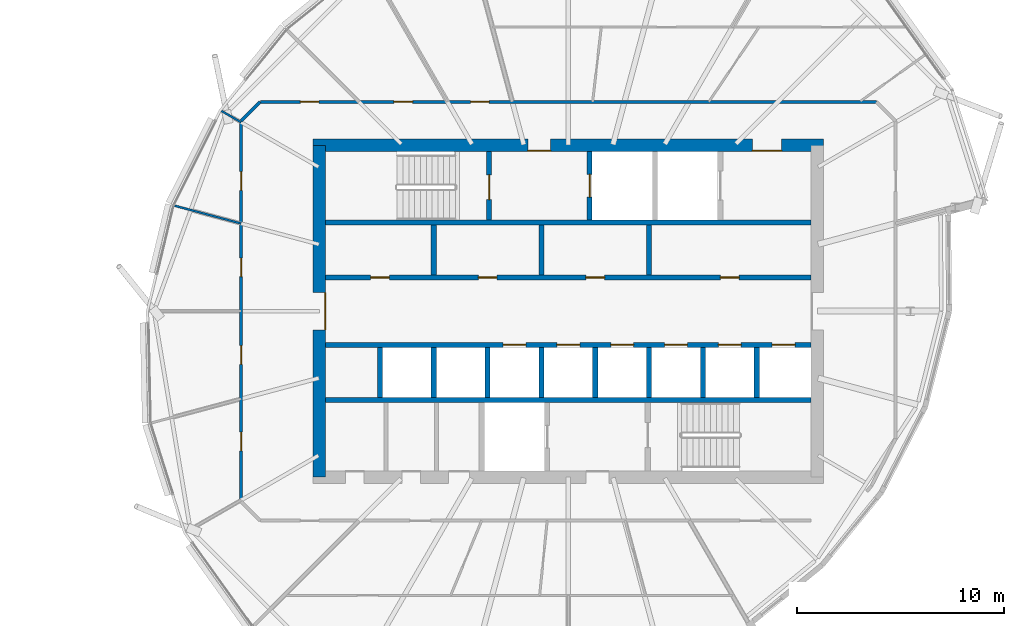
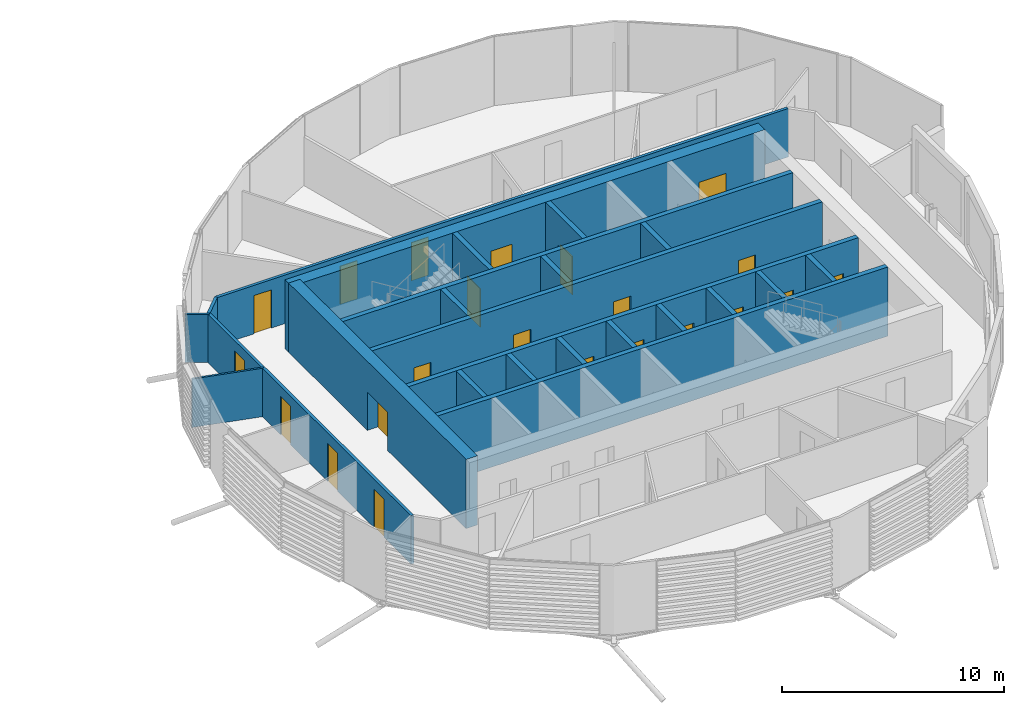
# One storey, part 22 of 36: 24 walls, 22 doors, 22 openings.
"""IFC4 building model written with IfcOpenShell, lengths in metres."""

from ifc_helpers import new_model, si_unit, direction, frame, frame_2d, origin, place, context, subcontext, project, spatial, rectangle, extrude, material, layer, layer_set, type_object, element, fill, save


model = new_model("IFC4")

# Units and contexts
model_context = context("Model", 3, precision=1e-05, world=origin(), true_north=direction((0.0, 1.0)))
body_context = subcontext(model_context, "Body", "Model", "MODEL_VIEW")
ifc_project = project(units=[si_unit("LENGTHUNIT", "METRE"), si_unit("AREAUNIT", "SQUARE_METRE"), si_unit("VOLUMEUNIT", "CUBIC_METRE"), si_unit("PLANEANGLEUNIT", "RADIAN"), si_unit("MASSUNIT", "GRAM", prefix="KILO")], contexts=[model_context])

# Site, building, storey
site_placement = place(None, origin())
site = spatial("IfcSite", under=ifc_project, at=site_placement, CompositionType="ELEMENT")
building_placement = place(site_placement, origin())
building = spatial("IfcBuilding", under=site, at=building_placement, Name="Rimbun Link Towers", CompositionType="ELEMENT")
storey_placement = place(building_placement, frame((0.0, 0.0, 200.699951171875)))
storey = spatial("IfcBuildingStorey", under=building, at=storey_placement, Name="L49", CompositionType="ELEMENT", Elevation=200.699951171875)

# Wall, openings, doors
ifc_material_1 = material(Name="Concrete C60/75", Category="concrete")
ifc_layer_1 = layer(ifc_material_1, 0.60009765625)
ifc_layer_set_1 = layer_set([ifc_layer_1], Name="Core shear wall 600")
wall_type_1 = type_object("IfcWallType", Name="Core shear wall 600", PredefinedType="SHEAR", material=ifc_layer_set_1)
wall_1_placement = place(storey_placement, frame((19.449951171875, 8.0, 0.0), z_axis=(0.0, 0.0, 1.0), x_axis=(1.0, 0.0, 0.0)))
wall_1 = element("IfcWall", 1, at=wall_1_placement, inside=storey, type_object=wall_type_1, Name="L49 T2 core wall N", PredefinedType="SHEAR", context=body_context, shape_type="SweptSolid", body=[
    extrude(rectangle(XDim=24.60009765625, YDim=0.60009765625, at=frame_2d((12.300048828125, 0.0))), origin(), (0.0, 0.0, 1.0), 3.800048828125),
])
opening_1_placement = place(wall_1_placement, frame((10.35009765625, 0.0, 0.0)))
opening_1 = element("IfcOpeningElement", 2, at=opening_1_placement, cuts=wall_1, Name="Opening C2DCF01N", PredefinedType="OPENING", context=body_context, shape_type="SweptSolid", body=[
    extrude(rectangle(XDim=1.10009765625, YDim=2.10009765625, at=frame_2d((0.550048828125, 1.050048828125))), frame((0.0, 0.31005859375, 0.0), z_axis=(0.0, -1.0, 0.0), x_axis=(1.0, 0.0, 0.0)), (0.0, 0.0, 1.0), 0.6201171875),
])
opening_2_placement = place(wall_1_placement, frame((21.175048828125, 0.0, 0.0)))
opening_2 = element("IfcOpeningElement", 3, at=opening_2_placement, cuts=wall_1, Name="Opening C2DSL02N", PredefinedType="OPENING", context=body_context, shape_type="SweptSolid", body=[
    extrude(rectangle(XDim=1.39990234375, YDim=2.10009765625, at=frame_2d((0.699951171875, 1.050048828125))), frame((0.0, 0.31005859375, 0.0), z_axis=(0.0, -1.0, 0.0), x_axis=(1.0, 0.0, 0.0)), (0.0, 0.0, 1.0), 0.6201171875),
])
ifc_material_2 = material(Name="Steel fire door set", Category="steel")
door_type_1 = type_object("IfcDoorType", Name="Core fire door single", OperationType="SINGLE_SWING_LEFT", PredefinedType="DOOR", material=ifc_material_2)
door_1_placement = place(opening_1_placement, origin())
door_1 = element("IfcDoor", 4, at=door_1_placement, inside=storey, type_object=door_type_1, Name="L49 T2 firefighting lobby n door", OperationType="SINGLE_SWING_LEFT", OverallHeight=2.10009765625, OverallWidth=1.10009765625, PredefinedType="DOOR", context=body_context, shape_type="SweptSolid", body=[
    extrude(rectangle(XDim=1.10009765625, YDim=2.10009765625, at=frame_2d((0.550048828125, 1.050048828125))), frame((0.0, -0.25, 0.0), z_axis=(0.0, -1.0, 0.0), x_axis=(1.0, 0.0, 0.0)), (0.0, 0.0, 1.0), 0.050048828125),
])
fill(opening_1, door_1)
ifc_material_3 = material(Name="Steel fire door set", Category="steel")
door_type_2 = type_object("IfcDoorType", Name="Service lobby door double", OperationType="DOUBLE_DOOR_SINGLE_SWING", PredefinedType="DOOR", material=ifc_material_3)
door_2_placement = place(opening_2_placement, origin())
door_2 = element("IfcDoor", 5, at=door_2_placement, inside=storey, type_object=door_type_2, Name="L49 T2 service lobby door", OperationType="DOUBLE_DOOR_SINGLE_SWING", OverallHeight=2.10009765625, OverallWidth=1.39990234375, PredefinedType="DOOR", context=body_context, shape_type="SweptSolid", body=[
    extrude(rectangle(XDim=1.39990234375, YDim=2.10009765625, at=frame_2d((0.699951171875, 1.050048828125))), frame((0.0, -0.25, 0.0), z_axis=(0.0, -1.0, 0.0), x_axis=(1.0, 0.0, 0.0)), (0.0, 0.0, 1.0), 0.050048828125),
])
fill(opening_2, door_2)

# Wall, opening, door
wall_2_placement = place(storey_placement, frame((19.75, -8.0, 0.0), z_axis=(0.0, 0.0, 1.0), x_axis=(0.0, 1.0, 0.0)))
wall_2 = element("IfcWall", 6, at=wall_2_placement, inside=storey, type_object=wall_type_1, Name="L49 T2 core wall W", PredefinedType="SHEAR", context=body_context, shape_type="SweptSolid", body=[
    extrude(rectangle(XDim=16.0, YDim=0.60009765625, at=frame_2d((8.0, 0.0))), origin(), (0.0, 0.0, 1.0), 3.800048828125),
])
opening_3_placement = place(wall_2_placement, frame((7.10009765625, 0.0, 0.0)))
opening_3 = element("IfcOpeningElement", 7, at=opening_3_placement, cuts=wall_2, Name="Opening C2DCL01W", PredefinedType="OPENING", context=body_context, shape_type="SweptSolid", body=[
    extrude(rectangle(XDim=1.800048828125, YDim=2.10009765625, at=frame_2d((0.89990234375, 1.050048828125))), frame((0.0, 0.31005859375, 0.0), z_axis=(0.0, -1.0, 0.0), x_axis=(1.0, 0.0, 0.0)), (0.0, 0.0, 1.0), 0.6201171875),
])
ifc_material_4 = material(Name="Steel fire door set", Category="steel")
door_type_3 = type_object("IfcDoorType", Name="Core lobby door double", OperationType="DOUBLE_DOOR_SINGLE_SWING", PredefinedType="DOOR", material=ifc_material_4)
door_3_placement = place(opening_3_placement, origin())
door_3 = element("IfcDoor", 8, at=door_3_placement, inside=storey, type_object=door_type_3, Name="L49 T2 lift lobby door", OperationType="DOUBLE_DOOR_SINGLE_SWING", OverallHeight=2.10009765625, OverallWidth=1.800048828125, PredefinedType="DOOR", context=body_context, shape_type="SweptSolid", body=[
    extrude(rectangle(XDim=1.800048828125, YDim=2.10009765625, at=frame_2d((0.89990234375, 1.050048828125))), frame((0.0, -0.25, 0.0), z_axis=(0.0, -1.0, 0.0), x_axis=(1.0, 0.0, 0.0)), (0.0, 0.0, 1.0), 0.050048828125),
])
fill(opening_3, door_3)

# Wall, openings, doors
ifc_material_5 = material(Name="Plasterboard on steel stud, mineral wool", Category="steel")
ifc_layer_2 = layer(ifc_material_5, 0.14990234375)
ifc_layer_set_2 = layer_set([ifc_layer_2], Name="Corridor wall EI 30 150 mm")
wall_type_2 = type_object("IfcWallType", Name="Corridor wall EI 30 150 mm", PredefinedType="PARTITIONING", material=ifc_layer_set_2)
wall_3_placement = place(storey_placement, frame((15.97509765625, -9.173583984375, 0.0), z_axis=(0.0, 0.0, 1.0), x_axis=(0.0, 1.0, 0.0)))
wall_3 = element("IfcWall", 9, at=wall_3_placement, inside=storey, type_object=wall_type_2, Name="Corridor wall EI 30 150 mm", PredefinedType="PARTITIONING", context=body_context, shape_type="SweptSolid", body=[
    extrude(rectangle(XDim=18.34716796875, YDim=0.14990234375, at=frame_2d((9.173583984375, 0.0))), origin(), (0.0, 0.0, 1.0), 2.662109375),
])
opening_4_placement = place(wall_3_placement, frame((15.002197265625, 0.0, 0.0)))
opening_4 = element("IfcOpeningElement", 10, at=opening_4_placement, cuts=wall_3, Name="Opening D02", PredefinedType="OPENING", context=body_context, shape_type="SweptSolid", body=[
    extrude(rectangle(XDim=0.89990234375, YDim=2.10009765625, at=frame_2d((0.449951171875, 1.050048828125))), frame((0.0, 0.0849609375, 0.0), z_axis=(0.0, -1.0, 0.0), x_axis=(1.0, 0.0, 0.0)), (0.0, 0.0, 1.0), 0.169921875),
])
opening_5_placement = place(wall_3_placement, frame((10.837158203125, 0.0, 0.0)))
opening_5 = element("IfcOpeningElement", 11, at=opening_5_placement, cuts=wall_3, Name="Opening D02", PredefinedType="OPENING", context=body_context, shape_type="SweptSolid", body=[
    extrude(rectangle(XDim=0.89990234375, YDim=2.10009765625, at=frame_2d((0.449951171875, 1.050048828125))), frame((0.0, 0.0849609375, 0.0), z_axis=(0.0, -1.0, 0.0), x_axis=(1.0, 0.0, 0.0)), (0.0, 0.0, 1.0), 0.169921875),
])
opening_6_placement = place(wall_3_placement, frame((6.6103515625, 0.0, 0.0)))
opening_6 = element("IfcOpeningElement", 12, at=opening_6_placement, cuts=wall_3, Name="Opening D02", PredefinedType="OPENING", context=body_context, shape_type="SweptSolid", body=[
    extrude(rectangle(XDim=0.89990234375, YDim=2.10009765625, at=frame_2d((0.449951171875, 1.050048828125))), frame((0.0, 0.0849609375, 0.0), z_axis=(0.0, -1.0, 0.0), x_axis=(1.0, 0.0, 0.0)), (0.0, 0.0, 1.0), 0.169921875),
])
opening_7_placement = place(wall_3_placement, frame((2.4453125, 0.0, 0.0)))
opening_7 = element("IfcOpeningElement", 13, at=opening_7_placement, cuts=wall_3, Name="Opening D02", PredefinedType="OPENING", context=body_context, shape_type="SweptSolid", body=[
    extrude(rectangle(XDim=0.89990234375, YDim=2.10009765625, at=frame_2d((0.449951171875, 1.050048828125))), frame((0.0, 0.0849609375, 0.0), z_axis=(0.0, -1.0, 0.0), x_axis=(1.0, 0.0, 0.0)), (0.0, 0.0, 1.0), 0.169921875),
])
ifc_material_6 = material(Name="Fire-resisting timber door leaf", Category="wood")
door_type_4 = type_object("IfcDoorType", Name="Fire door FD30S 900", OperationType="NOTDEFINED", PredefinedType="DOOR", material=ifc_material_6)
door_4_placement = place(opening_4_placement, origin())
door_4 = element("IfcDoor", 14, at=door_4_placement, inside=storey, type_object=door_type_4, Name="Fire door FD30S 900 to Communications room", OperationType="SINGLE_SWING_LEFT", OverallHeight=2.10009765625, OverallWidth=0.89990234375, PredefinedType="DOOR", context=body_context, shape_type="SweptSolid", body=[
    extrude(rectangle(XDim=0.89990234375, YDim=2.10009765625, at=frame_2d((0.449951171875, 1.050048828125))), frame((0.0, 0.02490234375, 0.0), z_axis=(0.0, -1.0, 0.0), x_axis=(1.0, 0.0, 0.0)), (0.0, 0.0, 1.0), 0.050048828125),
])
fill(opening_4, door_4)
door_5_placement = place(opening_5_placement, origin())
door_5 = element("IfcDoor", 15, at=door_5_placement, inside=storey, type_object=door_type_4, Name="Fire door FD30S 900 to Trading floor", OperationType="SINGLE_SWING_RIGHT", OverallHeight=2.10009765625, OverallWidth=0.89990234375, PredefinedType="DOOR", context=body_context, shape_type="SweptSolid", body=[
    extrude(rectangle(XDim=0.89990234375, YDim=2.10009765625, at=frame_2d((0.449951171875, 1.050048828125))), frame((0.0, 0.02490234375, 0.0), z_axis=(0.0, -1.0, 0.0), x_axis=(1.0, 0.0, 0.0)), (0.0, 0.0, 1.0), 0.050048828125),
])
fill(opening_5, door_5)
door_6_placement = place(opening_6_placement, origin())
door_6 = element("IfcDoor", 16, at=door_6_placement, inside=storey, type_object=door_type_4, Name="Fire door FD30S 900 to Data room", OperationType="SINGLE_SWING_LEFT", OverallHeight=2.10009765625, OverallWidth=0.89990234375, PredefinedType="DOOR", context=body_context, shape_type="SweptSolid", body=[
    extrude(rectangle(XDim=0.89990234375, YDim=2.10009765625, at=frame_2d((0.449951171875, 1.050048828125))), frame((0.0, 0.02490234375, 0.0), z_axis=(0.0, -1.0, 0.0), x_axis=(1.0, 0.0, 0.0)), (0.0, 0.0, 1.0), 0.050048828125),
])
fill(opening_6, door_6)
door_7_placement = place(opening_7_placement, origin())
door_7 = element("IfcDoor", 17, at=door_7_placement, inside=storey, type_object=door_type_4, Name="Fire door FD30S 900 to Communications room", OperationType="SINGLE_SWING_RIGHT", OverallHeight=2.10009765625, OverallWidth=0.89990234375, PredefinedType="DOOR", context=body_context, shape_type="SweptSolid", body=[
    extrude(rectangle(XDim=0.89990234375, YDim=2.10009765625, at=frame_2d((0.449951171875, 1.050048828125))), frame((0.0, 0.02490234375, 0.0), z_axis=(0.0, -1.0, 0.0), x_axis=(1.0, 0.0, 0.0)), (0.0, 0.0, 1.0), 0.050048828125),
])
fill(opening_7, door_7)

# Wall
wall_4_placement = place(storey_placement, frame((16.896240234375, 10.094970703125, 0.0), z_axis=(0.0, 0.0, 1.0), x_axis=(-0.707013081223, -0.707200468735, 0.0)))
element("IfcWall", 18, at=wall_4_placement, inside=storey, type_object=wall_type_2, Name="Corridor wall EI 30 150 mm", PredefinedType="PARTITIONING", context=body_context, shape_type="SweptSolid", body=[
    extrude(rectangle(XDim=1.302978515625, YDim=0.14990234375, at=frame_2d((0.6513671875, 0.0))), origin(), (0.0, 0.0, 1.0), 2.662109375),
])

# Wall, openings, doors
wall_5_placement = place(storey_placement, frame((16.896240234375, 10.094970703125, 0.0), z_axis=(0.0, 0.0, 1.0), x_axis=(1.0, 0.0, 0.0)))
wall_5 = element("IfcWall", 19, at=wall_5_placement, inside=storey, type_object=wall_type_2, Name="Corridor wall EI 30 150 mm", PredefinedType="PARTITIONING", context=body_context, shape_type="SweptSolid", body=[
    extrude(rectangle(XDim=29.70751953125, YDim=0.14990234375, at=frame_2d((14.853759765625, 0.0))), origin(), (0.0, 0.0, 1.0), 2.662109375),
])
opening_8_placement = place(wall_5_placement, frame((10.136962890625, 0.0, 0.0)))
opening_8 = element("IfcOpeningElement", 20, at=opening_8_placement, cuts=wall_5, Name="Opening D02", PredefinedType="OPENING", context=body_context, shape_type="SweptSolid", body=[
    extrude(rectangle(XDim=0.89990234375, YDim=2.10009765625, at=frame_2d((0.449951171875, 1.050048828125))), frame((0.0, 0.0849609375, 0.0), z_axis=(0.0, -1.0, 0.0), x_axis=(1.0, 0.0, 0.0)), (0.0, 0.0, 1.0), 0.169921875),
])
opening_9_placement = place(wall_5_placement, frame((6.44189453125, 0.0, 0.0)))
opening_9 = element("IfcOpeningElement", 21, at=opening_9_placement, cuts=wall_5, Name="Opening D02", PredefinedType="OPENING", context=body_context, shape_type="SweptSolid", body=[
    extrude(rectangle(XDim=0.89990234375, YDim=2.10009765625, at=frame_2d((0.449951171875, 1.050048828125))), frame((0.0, 0.0849609375, 0.0), z_axis=(0.0, -1.0, 0.0), x_axis=(1.0, 0.0, 0.0)), (0.0, 0.0, 1.0), 0.169921875),
])
opening_10_placement = place(wall_5_placement, frame((1.92919921875, 0.0, 0.0)))
opening_10 = element("IfcOpeningElement", 22, at=opening_10_placement, cuts=wall_5, Name="Opening D02", PredefinedType="OPENING", context=body_context, shape_type="SweptSolid", body=[
    extrude(rectangle(XDim=0.89990234375, YDim=2.10009765625, at=frame_2d((0.449951171875, 1.050048828125))), frame((0.0, 0.0849609375, 0.0), z_axis=(0.0, -1.0, 0.0), x_axis=(1.0, 0.0, 0.0)), (0.0, 0.0, 1.0), 0.169921875),
])
door_8_placement = place(opening_8_placement, origin())
door_8 = element("IfcDoor", 23, at=door_8_placement, inside=storey, type_object=door_type_4, Name="Fire door FD30S 900 to Training room", OperationType="SINGLE_SWING_RIGHT", OverallHeight=2.10009765625, OverallWidth=0.89990234375, PredefinedType="DOOR", context=body_context, shape_type="SweptSolid", body=[
    extrude(rectangle(XDim=0.89990234375, YDim=2.10009765625, at=frame_2d((0.449951171875, 1.050048828125))), frame((0.0, 0.02490234375, 0.0), z_axis=(0.0, -1.0, 0.0), x_axis=(1.0, 0.0, 0.0)), (0.0, 0.0, 1.0), 0.050048828125),
])
fill(opening_8, door_8)
door_9_placement = place(opening_9_placement, origin())
door_9 = element("IfcDoor", 24, at=door_9_placement, inside=storey, type_object=door_type_4, Name="Fire door FD30S 900 to Meeting room", OperationType="SINGLE_SWING_LEFT", OverallHeight=2.10009765625, OverallWidth=0.89990234375, PredefinedType="DOOR", context=body_context, shape_type="SweptSolid", body=[
    extrude(rectangle(XDim=0.89990234375, YDim=2.10009765625, at=frame_2d((0.449951171875, 1.050048828125))), frame((0.0, 0.02490234375, 0.0), z_axis=(0.0, -1.0, 0.0), x_axis=(1.0, 0.0, 0.0)), (0.0, 0.0, 1.0), 0.050048828125),
])
fill(opening_9, door_9)
door_10_placement = place(opening_10_placement, origin())
door_10 = element("IfcDoor", 25, at=door_10_placement, inside=storey, type_object=door_type_4, Name="Fire door FD30S 900 to Data room", OperationType="SINGLE_SWING_RIGHT", OverallHeight=2.10009765625, OverallWidth=0.89990234375, PredefinedType="DOOR", context=body_context, shape_type="SweptSolid", body=[
    extrude(rectangle(XDim=0.89990234375, YDim=2.10009765625, at=frame_2d((0.449951171875, 1.050048828125))), frame((0.0, 0.02490234375, 0.0), z_axis=(0.0, -1.0, 0.0), x_axis=(1.0, 0.0, 0.0)), (0.0, 0.0, 1.0), 0.050048828125),
])
fill(opening_10, door_10)

# Walls
ifc_material_7 = material(Name="Plasterboard on steel stud", Category="steel")
ifc_layer_3 = layer(ifc_material_7, 0.10009765625)
ifc_layer_set_3 = layer_set([ifc_layer_3], Name="Plasterboard partition 100 mm")
wall_type_3 = type_object("IfcWallType", Name="Plasterboard partition 100 mm", PredefinedType="PARTITIONING", material=ifc_layer_set_3)
wall_6_placement = place(storey_placement, frame((15.024169921875, 9.65673828125, 0.0), z_axis=(0.0, 0.0, 1.0), x_axis=(0.866100429271, -0.499870029525, 0.0)))
element("IfcWall", 26, at=wall_6_placement, inside=storey, type_object=wall_type_3, Name="Plasterboard partition 100 mm", PredefinedType="PARTITIONING", context=body_context, shape_type="SweptSolid", body=[
    extrude(rectangle(XDim=1.097900390625, YDim=0.10009765625, at=frame_2d((0.548828125, 0.0))), origin(), (0.0, 0.0, 1.0), 2.662109375),
])
wall_7_placement = place(storey_placement, frame((12.733642578125, 5.095458984375, 0.0), z_axis=(0.0, 0.0, 1.0), x_axis=(0.965917849167, -0.258848814291, 0.0)))
element("IfcWall", 27, at=wall_7_placement, inside=storey, type_object=wall_type_3, Name="Plasterboard partition 100 mm", PredefinedType="PARTITIONING", context=body_context, shape_type="SweptSolid", body=[
    extrude(rectangle(XDim=3.355712890625, YDim=0.10009765625, at=frame_2d((1.677734375, 0.0))), origin(), (0.0, 0.0, 1.0), 2.662109375),
])
ifc_material_8 = material(Name="Concrete C60/75", Category="concrete")
ifc_layer_4 = layer(ifc_material_8, 0.25)
ifc_layer_set_4 = layer_set([ifc_layer_4], Name="Shaft wall 250")
wall_type_4 = type_object("IfcWallType", Name="Shaft wall 250", PredefinedType="SHEAR", material=ifc_layer_set_4)
for number, where, z_axis, x_axis, name in (
    (28, (20.050048828125, 4.27490234375, 0.0), (0.0, 0.0, 1.0), (1.0, 0.0, 0.0), "L49 T2 core wall BN"),
    (29, (20.050048828125, -4.27490234375, 0.0), (0.0, 0.0, 1.0), (1.0, 0.0, 0.0), "L49 T2 core wall BS"),
):
    element("IfcWall", number, at=place(storey_placement, frame(where, z_axis=z_axis, x_axis=x_axis)), inside=storey, type_object=wall_type_4, Name=name, PredefinedType="SHEAR", context=body_context, shape_type="SweptSolid", body=[
        extrude(rectangle(XDim=23.39990234375, YDim=0.25, at=frame_2d((11.699951171875, 0.0))), origin(), (0.0, 0.0, 1.0), 3.800048828125),
    ])

# Wall, openings, doors
wall_8_placement = place(storey_placement, frame((20.050048828125, 1.625, 0.0), z_axis=(0.0, 0.0, 1.0), x_axis=(1.0, 0.0, 0.0)))
wall_8 = element("IfcWall", 30, at=wall_8_placement, inside=storey, type_object=wall_type_4, Name="L49 T2 core wall FN", PredefinedType="SHEAR", context=body_context, shape_type="SweptSolid", body=[
    extrude(rectangle(XDim=23.39990234375, YDim=0.25, at=frame_2d((11.699951171875, 0.0))), origin(), (0.0, 0.0, 1.0), 3.800048828125),
])
opening_11_placement = place(wall_8_placement, frame((2.16943359375, 0.0, 0.0)))
opening_11 = element("IfcOpeningElement", 31, at=opening_11_placement, cuts=wall_8, Name="Opening C2DRS01FN", PredefinedType="OPENING", context=body_context, shape_type="SweptSolid", body=[
    extrude(rectangle(XDim=0.89990234375, YDim=2.10009765625, at=frame_2d((0.449951171875, 1.050048828125))), frame((0.0, 0.135009765625, 0.0), z_axis=(0.0, -1.0, 0.0), x_axis=(1.0, 0.0, 0.0)), (0.0, 0.0, 1.0), 0.27001953125),
])
opening_12_placement = place(wall_8_placement, frame((7.3583984375, 0.0, 0.0)))
opening_12 = element("IfcOpeningElement", 32, at=opening_12_placement, cuts=wall_8, Name="Opening C2DRS02FN", PredefinedType="OPENING", context=body_context, shape_type="SweptSolid", body=[
    extrude(rectangle(XDim=0.89990234375, YDim=2.10009765625, at=frame_2d((0.449951171875, 1.050048828125))), frame((0.0, 0.135009765625, 0.0), z_axis=(0.0, -1.0, 0.0), x_axis=(1.0, 0.0, 0.0)), (0.0, 0.0, 1.0), 0.27001953125),
])
opening_13_placement = place(wall_8_placement, frame((12.547119140625, 0.0, 0.0)))
opening_13 = element("IfcOpeningElement", 33, at=opening_13_placement, cuts=wall_8, Name="Opening C2DRS03FN", PredefinedType="OPENING", context=body_context, shape_type="SweptSolid", body=[
    extrude(rectangle(XDim=0.89990234375, YDim=2.10009765625, at=frame_2d((0.449951171875, 1.050048828125))), frame((0.0, 0.135009765625, 0.0), z_axis=(0.0, -1.0, 0.0), x_axis=(1.0, 0.0, 0.0)), (0.0, 0.0, 1.0), 0.27001953125),
])
opening_14_placement = place(wall_8_placement, frame((19.033203125, 0.0, 0.0)))
opening_14 = element("IfcOpeningElement", 34, at=opening_14_placement, cuts=wall_8, Name="Opening C2DRS04FN", PredefinedType="OPENING", context=body_context, shape_type="SweptSolid", body=[
    extrude(rectangle(XDim=0.89990234375, YDim=2.10009765625, at=frame_2d((0.449951171875, 1.050048828125))), frame((0.0, 0.135009765625, 0.0), z_axis=(0.0, -1.0, 0.0), x_axis=(1.0, 0.0, 0.0)), (0.0, 0.0, 1.0), 0.27001953125),
])
ifc_material_9 = material(Name="Steel fire door set", Category="steel")
door_type_5 = type_object("IfcDoorType", Name="Core riser door", OperationType="SINGLE_SWING_LEFT", PredefinedType="DOOR", material=ifc_material_9)
door_11_placement = place(opening_11_placement, origin())
door_11 = element("IfcDoor", 35, at=door_11_placement, inside=storey, type_object=door_type_5, Name="L49 T2 pantry door", OperationType="SINGLE_SWING_RIGHT", OverallHeight=2.10009765625, OverallWidth=0.89990234375, PredefinedType="DOOR", context=body_context, shape_type="SweptSolid", body=[
    extrude(rectangle(XDim=0.89990234375, YDim=2.10009765625, at=frame_2d((0.449951171875, 1.050048828125))), frame((0.0, 0.02490234375, 0.0), z_axis=(0.0, -1.0, 0.0), x_axis=(1.0, 0.0, 0.0)), (0.0, 0.0, 1.0), 0.050048828125),
])
fill(opening_11, door_11)
door_12_placement = place(opening_12_placement, origin())
door_12 = element("IfcDoor", 36, at=door_12_placement, inside=storey, type_object=door_type_5, Name="L49 T2 first aid room door", OperationType="SINGLE_SWING_LEFT", OverallHeight=2.10009765625, OverallWidth=0.89990234375, PredefinedType="DOOR", context=body_context, shape_type="SweptSolid", body=[
    extrude(rectangle(XDim=0.89990234375, YDim=2.10009765625, at=frame_2d((0.449951171875, 1.050048828125))), frame((0.0, 0.02490234375, 0.0), z_axis=(0.0, -1.0, 0.0), x_axis=(1.0, 0.0, 0.0)), (0.0, 0.0, 1.0), 0.050048828125),
])
fill(opening_12, door_12)
door_13_placement = place(opening_13_placement, origin())
door_13 = element("IfcDoor", 37, at=door_13_placement, inside=storey, type_object=door_type_5, Name="L49 T2 mail room door", OperationType="SINGLE_SWING_LEFT", OverallHeight=2.10009765625, OverallWidth=0.89990234375, PredefinedType="DOOR", context=body_context, shape_type="SweptSolid", body=[
    extrude(rectangle(XDim=0.89990234375, YDim=2.10009765625, at=frame_2d((0.449951171875, 1.050048828125))), frame((0.0, 0.02490234375, 0.0), z_axis=(0.0, -1.0, 0.0), x_axis=(1.0, 0.0, 0.0)), (0.0, 0.0, 1.0), 0.050048828125),
])
fill(opening_13, door_13)
door_14_placement = place(opening_14_placement, origin())
door_14 = element("IfcDoor", 38, at=door_14_placement, inside=storey, type_object=door_type_5, Name="L49 T2 wellness room door", OperationType="SINGLE_SWING_LEFT", OverallHeight=2.10009765625, OverallWidth=0.89990234375, PredefinedType="DOOR", context=body_context, shape_type="SweptSolid", body=[
    extrude(rectangle(XDim=0.89990234375, YDim=2.10009765625, at=frame_2d((0.449951171875, 1.050048828125))), frame((0.0, 0.02490234375, 0.0), z_axis=(0.0, -1.0, 0.0), x_axis=(1.0, 0.0, 0.0)), (0.0, 0.0, 1.0), 0.050048828125),
])
fill(opening_14, door_14)

wall_9_placement = place(storey_placement, frame((20.050048828125, -1.625, 0.0), z_axis=(0.0, 0.0, 1.0), x_axis=(1.0, 0.0, 0.0)))
wall_9 = element("IfcWall", 39, at=wall_9_placement, inside=storey, type_object=wall_type_4, Name="L49 T2 core wall FS", PredefinedType="SHEAR", context=body_context, shape_type="SweptSolid", body=[
    extrude(rectangle(XDim=23.39990234375, YDim=0.25, at=frame_2d((11.699951171875, 0.0))), origin(), (0.0, 0.0, 1.0), 3.800048828125),
])
opening_15_placement = place(wall_9_placement, frame((8.5556640625, 0.0, 0.0)))
opening_15 = element("IfcOpeningElement", 40, at=opening_15_placement, cuts=wall_9, Name="Opening LD-T2-HR1", PredefinedType="OPENING", context=body_context, shape_type="SweptSolid", body=[
    extrude(rectangle(XDim=1.10009765625, YDim=2.10009765625, at=frame_2d((0.550048828125, 1.050048828125))), frame((0.0, 0.135009765625, 0.0), z_axis=(0.0, -1.0, 0.0), x_axis=(1.0, 0.0, 0.0)), (0.0, 0.0, 1.0), 0.27001953125),
])
opening_16_placement = place(wall_9_placement, frame((11.14990234375, 0.0, 0.0)))
opening_16 = element("IfcOpeningElement", 41, at=opening_16_placement, cuts=wall_9, Name="Opening LD-T2-HR2", PredefinedType="OPENING", context=body_context, shape_type="SweptSolid", body=[
    extrude(rectangle(XDim=1.10009765625, YDim=2.10009765625, at=frame_2d((0.550048828125, 1.050048828125))), frame((0.0, 0.135009765625, 0.0), z_axis=(0.0, -1.0, 0.0), x_axis=(1.0, 0.0, 0.0)), (0.0, 0.0, 1.0), 0.27001953125),
])
opening_17_placement = place(wall_9_placement, frame((13.744384765625, 0.0, 0.0)))
opening_17 = element("IfcOpeningElement", 42, at=opening_17_placement, cuts=wall_9, Name="Opening LD-T2-HR3", PredefinedType="OPENING", context=body_context, shape_type="SweptSolid", body=[
    extrude(rectangle(XDim=1.10009765625, YDim=2.10009765625, at=frame_2d((0.550048828125, 1.050048828125))), frame((0.0, 0.135009765625, 0.0), z_axis=(0.0, -1.0, 0.0), x_axis=(1.0, 0.0, 0.0)), (0.0, 0.0, 1.0), 0.27001953125),
])
opening_18_placement = place(wall_9_placement, frame((16.3388671875, 0.0, 0.0)))
opening_18 = element("IfcOpeningElement", 43, at=opening_18_placement, cuts=wall_9, Name="Opening LD-T2-HR4", PredefinedType="OPENING", context=body_context, shape_type="SweptSolid", body=[
    extrude(rectangle(XDim=1.10009765625, YDim=2.10009765625, at=frame_2d((0.550048828125, 1.050048828125))), frame((0.0, 0.135009765625, 0.0), z_axis=(0.0, -1.0, 0.0), x_axis=(1.0, 0.0, 0.0)), (0.0, 0.0, 1.0), 0.27001953125),
])
opening_19_placement = place(wall_9_placement, frame((18.933349609375, 0.0, 0.0)))
opening_19 = element("IfcOpeningElement", 44, at=opening_19_placement, cuts=wall_9, Name="Opening LD-T2-HR5", PredefinedType="OPENING", context=body_context, shape_type="SweptSolid", body=[
    extrude(rectangle(XDim=1.10009765625, YDim=2.10009765625, at=frame_2d((0.550048828125, 1.050048828125))), frame((0.0, 0.135009765625, 0.0), z_axis=(0.0, -1.0, 0.0), x_axis=(1.0, 0.0, 0.0)), (0.0, 0.0, 1.0), 0.27001953125),
])
opening_20_placement = place(wall_9_placement, frame((21.52783203125, 0.0, 0.0)))
opening_20 = element("IfcOpeningElement", 45, at=opening_20_placement, cuts=wall_9, Name="Opening LD-T2-HR6", PredefinedType="OPENING", context=body_context, shape_type="SweptSolid", body=[
    extrude(rectangle(XDim=1.10009765625, YDim=2.10009765625, at=frame_2d((0.550048828125, 1.050048828125))), frame((0.0, 0.135009765625, 0.0), z_axis=(0.0, -1.0, 0.0), x_axis=(1.0, 0.0, 0.0)), (0.0, 0.0, 1.0), 0.27001953125),
])
ifc_material_10 = material(Name="Stainless steel grade 316", Category="steel")
door_type_6 = type_object("IfcDoorType", Name="Lift landing door", OperationType="DOUBLE_DOOR_SLIDING", PredefinedType="DOOR", material=ifc_material_10)
door_15_placement = place(opening_15_placement, origin())
door_15 = element("IfcDoor", 46, at=door_15_placement, inside=storey, type_object=door_type_6, Name="L49 T2 lift HR1 landing door", OperationType="DOUBLE_DOOR_SLIDING", OverallHeight=2.10009765625, OverallWidth=1.10009765625, PredefinedType="DOOR", context=body_context, shape_type="SweptSolid", body=[
    extrude(rectangle(XDim=1.10009765625, YDim=2.10009765625, at=frame_2d((0.550048828125, 1.050048828125))), frame((0.0, 0.02490234375, 0.0), z_axis=(0.0, -1.0, 0.0), x_axis=(1.0, 0.0, 0.0)), (0.0, 0.0, 1.0), 0.050048828125),
])
fill(opening_15, door_15)
door_16_placement = place(opening_16_placement, origin())
door_16 = element("IfcDoor", 47, at=door_16_placement, inside=storey, type_object=door_type_6, Name="L49 T2 lift HR2 landing door", OperationType="DOUBLE_DOOR_SLIDING", OverallHeight=2.10009765625, OverallWidth=1.10009765625, PredefinedType="DOOR", context=body_context, shape_type="SweptSolid", body=[
    extrude(rectangle(XDim=1.10009765625, YDim=2.10009765625, at=frame_2d((0.550048828125, 1.050048828125))), frame((0.0, 0.02490234375, 0.0), z_axis=(0.0, -1.0, 0.0), x_axis=(1.0, 0.0, 0.0)), (0.0, 0.0, 1.0), 0.050048828125),
])
fill(opening_16, door_16)
door_17_placement = place(opening_17_placement, origin())
door_17 = element("IfcDoor", 48, at=door_17_placement, inside=storey, type_object=door_type_6, Name="L49 T2 lift HR3 landing door", OperationType="DOUBLE_DOOR_SLIDING", OverallHeight=2.10009765625, OverallWidth=1.10009765625, PredefinedType="DOOR", context=body_context, shape_type="SweptSolid", body=[
    extrude(rectangle(XDim=1.10009765625, YDim=2.10009765625, at=frame_2d((0.550048828125, 1.050048828125))), frame((0.0, 0.02490234375, 0.0), z_axis=(0.0, -1.0, 0.0), x_axis=(1.0, 0.0, 0.0)), (0.0, 0.0, 1.0), 0.050048828125),
])
fill(opening_17, door_17)
door_18_placement = place(opening_18_placement, origin())
door_18 = element("IfcDoor", 49, at=door_18_placement, inside=storey, type_object=door_type_6, Name="L49 T2 lift HR4 landing door", OperationType="DOUBLE_DOOR_SLIDING", OverallHeight=2.10009765625, OverallWidth=1.10009765625, PredefinedType="DOOR", context=body_context, shape_type="SweptSolid", body=[
    extrude(rectangle(XDim=1.10009765625, YDim=2.10009765625, at=frame_2d((0.550048828125, 1.050048828125))), frame((0.0, 0.02490234375, 0.0), z_axis=(0.0, -1.0, 0.0), x_axis=(1.0, 0.0, 0.0)), (0.0, 0.0, 1.0), 0.050048828125),
])
fill(opening_18, door_18)
door_19_placement = place(opening_19_placement, origin())
door_19 = element("IfcDoor", 50, at=door_19_placement, inside=storey, type_object=door_type_6, Name="L49 T2 lift HR5 landing door", OperationType="DOUBLE_DOOR_SLIDING", OverallHeight=2.10009765625, OverallWidth=1.10009765625, PredefinedType="DOOR", context=body_context, shape_type="SweptSolid", body=[
    extrude(rectangle(XDim=1.10009765625, YDim=2.10009765625, at=frame_2d((0.550048828125, 1.050048828125))), frame((0.0, 0.02490234375, 0.0), z_axis=(0.0, -1.0, 0.0), x_axis=(1.0, 0.0, 0.0)), (0.0, 0.0, 1.0), 0.050048828125),
])
fill(opening_19, door_19)
door_20_placement = place(opening_20_placement, origin())
door_20 = element("IfcDoor", 51, at=door_20_placement, inside=storey, type_object=door_type_6, Name="L49 T2 lift HR6 landing door", OperationType="DOUBLE_DOOR_SLIDING", OverallHeight=2.10009765625, OverallWidth=1.10009765625, PredefinedType="DOOR", context=body_context, shape_type="SweptSolid", body=[
    extrude(rectangle(XDim=1.10009765625, YDim=2.10009765625, at=frame_2d((0.550048828125, 1.050048828125))), frame((0.0, 0.02490234375, 0.0), z_axis=(0.0, -1.0, 0.0), x_axis=(1.0, 0.0, 0.0)), (0.0, 0.0, 1.0), 0.050048828125),
])
fill(opening_20, door_20)

# Walls
for number, where, z_axis, x_axis, name in (
    (52, (25.263916015625, 1.75, 0.0), (0.0, 0.0, 1.0), (0.0, 1.0, 0.0), "L49 T2 core wall DN1"),
    (53, (30.452880859375, 1.75, 0.0), (0.0, 0.0, 1.0), (0.0, 1.0, 0.0), "L49 T2 core wall DN3"),
    (54, (35.6416015625, 1.75, 0.0), (0.0, 0.0, 1.0), (0.0, 1.0, 0.0), "L49 T2 core wall DN5"),
    (55, (22.66943359375, -4.14990234375, 0.0), (0.0, 0.0, 1.0), (0.0, 1.0, 0.0), "L49 T2 core wall DS0"),
    (56, (25.263916015625, -4.14990234375, 0.0), (0.0, 0.0, 1.0), (0.0, 1.0, 0.0), "L49 T2 core wall DS1"),
    (57, (27.8583984375, -4.14990234375, 0.0), (0.0, 0.0, 1.0), (0.0, 1.0, 0.0), "L49 T2 core wall DS2"),
    (58, (30.452880859375, -4.14990234375, 0.0), (0.0, 0.0, 1.0), (0.0, 1.0, 0.0), "L49 T2 core wall DS3"),
    (59, (33.047119140625, -4.14990234375, 0.0), (0.0, 0.0, 1.0), (0.0, 1.0, 0.0), "L49 T2 core wall DS4"),
    (60, (35.6416015625, -4.14990234375, 0.0), (0.0, 0.0, 1.0), (0.0, 1.0, 0.0), "L49 T2 core wall DS5"),
    (61, (38.236083984375, -4.14990234375, 0.0), (0.0, 0.0, 1.0), (0.0, 1.0, 0.0), "L49 T2 core wall DS6"),
    (62, (40.83056640625, -4.14990234375, 0.0), (0.0, 0.0, 1.0), (0.0, 1.0, 0.0), "L49 T2 core wall DS7"),
):
    element("IfcWall", number, at=place(storey_placement, frame(where, z_axis=z_axis, x_axis=x_axis)), inside=storey, type_object=wall_type_4, Name=name, PredefinedType="SHEAR", context=body_context, shape_type="SweptSolid", body=[
        extrude(rectangle(XDim=2.39990234375, YDim=0.25, at=frame_2d((1.199951171875, 0.0))), origin(), (0.0, 0.0, 1.0), 3.800048828125),
    ])

# Wall, opening, door
wall_10_placement = place(storey_placement, frame((27.925048828125, 4.39990234375, 0.0), z_axis=(0.0, 0.0, 1.0), x_axis=(0.0, 1.0, 0.0)))
wall_10 = element("IfcWall", 63, at=wall_10_placement, inside=storey, type_object=wall_type_4, Name="L49 T2 core wall A1", PredefinedType="SHEAR", context=body_context, shape_type="SweptSolid", body=[
    extrude(rectangle(XDim=3.300048828125, YDim=0.25, at=frame_2d((1.64990234375, 0.0))), origin(), (0.0, 0.0, 1.0), 3.800048828125),
])
opening_21_placement = place(wall_10_placement, frame((0.97509765625, 0.0, 0.0)))
opening_21 = element("IfcOpeningElement", 64, at=opening_21_placement, cuts=wall_10, Name="Opening C2DST01A1", PredefinedType="OPENING", context=body_context, shape_type="SweptSolid", body=[
    extrude(rectangle(XDim=1.199951171875, YDim=2.10009765625, at=frame_2d((0.60009765625, 1.050048828125))), frame((0.0, 0.135009765625, 0.0), z_axis=(0.0, -1.0, 0.0), x_axis=(1.0, 0.0, 0.0)), (0.0, 0.0, 1.0), 0.27001953125),
])
ifc_material_11 = material(Name="Steel fire door set", Category="steel")
door_type_7 = type_object("IfcDoorType", Name="Stair door", OperationType="SINGLE_SWING_LEFT", PredefinedType="DOOR", material=ifc_material_11)
door_21_placement = place(opening_21_placement, origin())
door_21 = element("IfcDoor", 65, at=door_21_placement, inside=storey, type_object=door_type_7, Name="L49 T2 stair a door", OperationType="SINGLE_SWING_LEFT", OverallHeight=2.10009765625, OverallWidth=1.199951171875, PredefinedType="DOOR", context=body_context, shape_type="SweptSolid", body=[
    extrude(rectangle(XDim=1.199951171875, YDim=2.10009765625, at=frame_2d((0.60009765625, 1.050048828125))), frame((0.0, 0.02490234375, 0.0), z_axis=(0.0, -1.0, 0.0), x_axis=(1.0, 0.0, 0.0)), (0.0, 0.0, 1.0), 0.050048828125),
])
fill(opening_21, door_21)

wall_11_placement = place(storey_placement, frame((32.77490234375, 4.39990234375, 0.0), z_axis=(0.0, 0.0, 1.0), x_axis=(0.0, 1.0, 0.0)))
wall_11 = element("IfcWall", 66, at=wall_11_placement, inside=storey, type_object=wall_type_4, Name="L49 T2 core wall A2", PredefinedType="SHEAR", context=body_context, shape_type="SweptSolid", body=[
    extrude(rectangle(XDim=3.300048828125, YDim=0.25, at=frame_2d((1.64990234375, 0.0))), origin(), (0.0, 0.0, 1.0), 3.800048828125),
])
opening_22_placement = place(wall_11_placement, frame((1.10009765625, 0.0, 0.0)))
opening_22 = element("IfcOpeningElement", 67, at=opening_22_placement, cuts=wall_11, Name="Opening LD-T2-FF1", PredefinedType="OPENING", context=body_context, shape_type="SweptSolid", body=[
    extrude(rectangle(XDim=1.10009765625, YDim=2.10009765625, at=frame_2d((0.550048828125, 1.050048828125))), frame((0.0, 0.135009765625, 0.0), z_axis=(0.0, -1.0, 0.0), x_axis=(1.0, 0.0, 0.0)), (0.0, 0.0, 1.0), 0.27001953125),
])
door_22_placement = place(opening_22_placement, origin())
door_22 = element("IfcDoor", 68, at=door_22_placement, inside=storey, type_object=door_type_6, Name="L49 T2 lift FF1 landing door", OperationType="DOUBLE_DOOR_SLIDING", OverallHeight=2.10009765625, OverallWidth=1.10009765625, PredefinedType="DOOR", context=body_context, shape_type="SweptSolid", body=[
    extrude(rectangle(XDim=1.10009765625, YDim=2.10009765625, at=frame_2d((0.550048828125, 1.050048828125))), frame((0.0, 0.02490234375, 0.0), z_axis=(0.0, -1.0, 0.0), x_axis=(1.0, 0.0, 0.0)), (0.0, 0.0, 1.0), 0.050048828125),
])
fill(opening_22, door_22)

save(model, "model.ifc")
